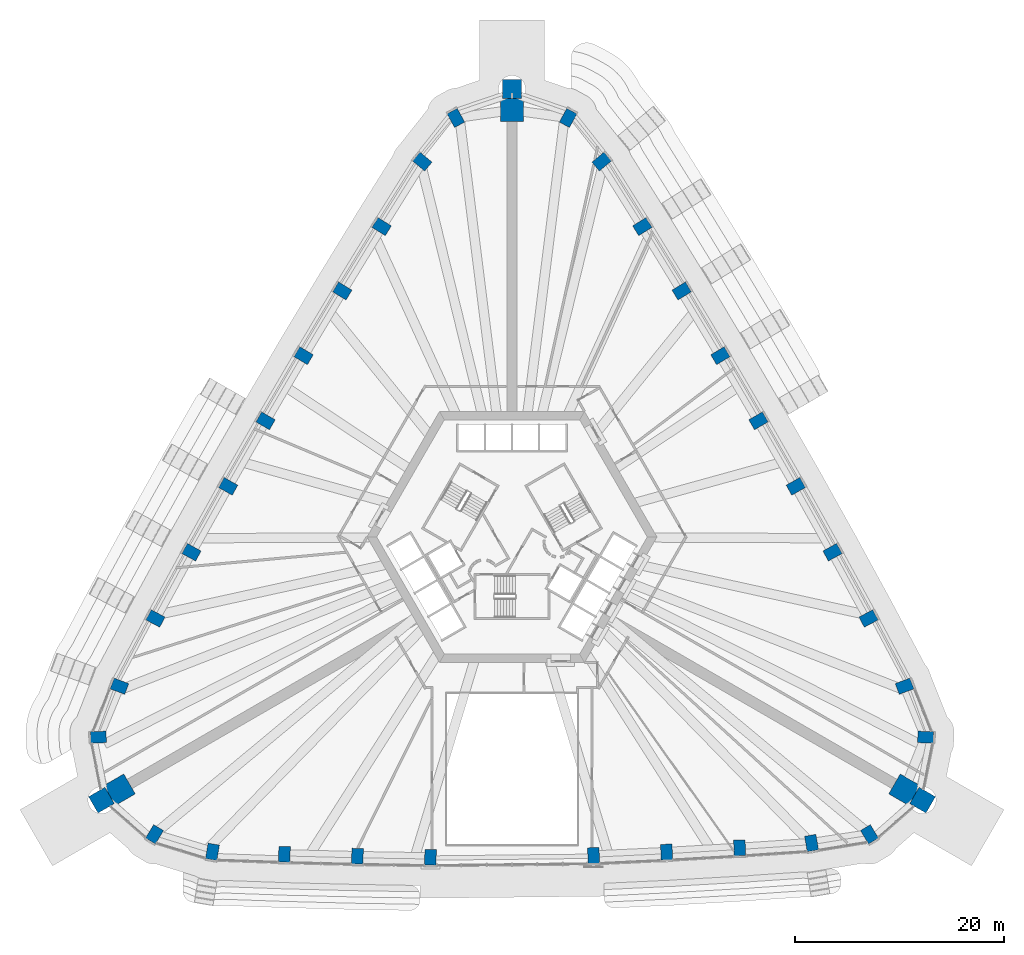
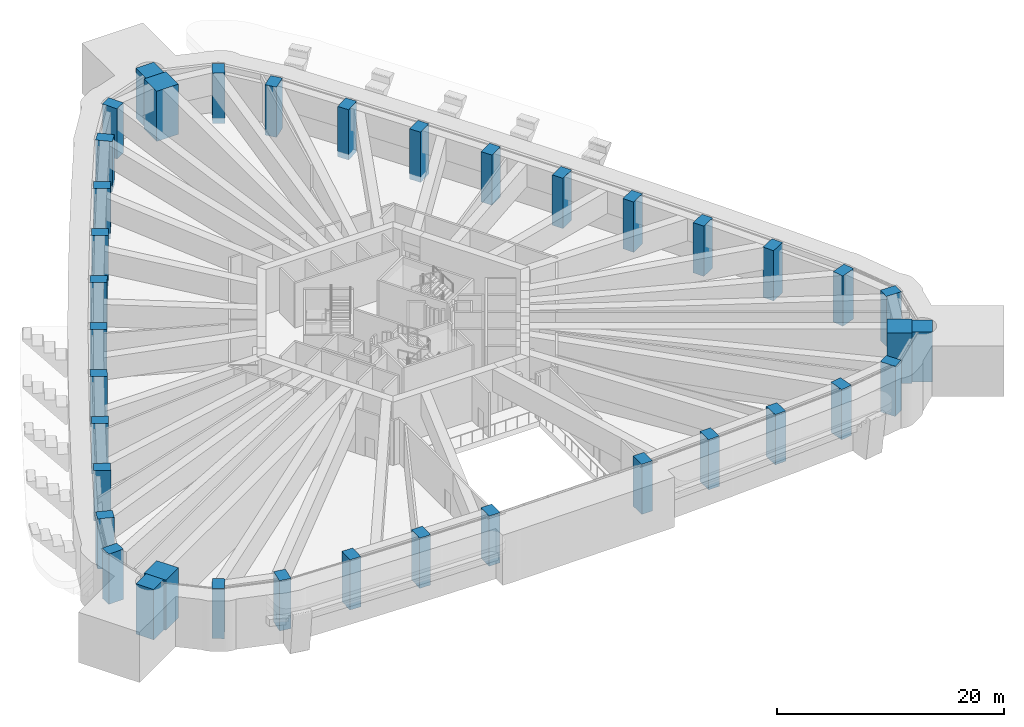
# One storey, part 1 of 22: 38 columns.
"""IFC4 building model written with IfcOpenShell, lengths in metres."""

import ifcopenshell
import ifcopenshell.guid

model = None  # the IFC model being written
_history = None  # IfcOwnerHistory: only IFC2X3 demands one
_inside = {}  # id of a spatial element -> (the spatial element, [elements in it])
_under = {}  # id of a project, library or spatial element -> (it, [spatial elements below it])
_declared = {}  # id of a project -> (the project, [libraries it declares])
_typed = {}  # id of a type object -> (the type object, [elements of that type])
_made_of = {}  # id of a material, layer set ... -> (it, [elements and type objects made of it])


def new_model(schema):
    """Start an empty IFC model of exactly this schema.

    Asked for "IFC4X3", IfcOpenShell would pick the latest addendum, in which some entities
    have other attributes; the version numbers below select the first issue.
    IFC2X3 requires an IfcOwnerHistory on every rooted entity: one is made here for all.
    """
    global model, _history
    if schema == "IFC4X3":
        model = ifcopenshell.file(schema_version=(4, 3, 0, 0))
    else:
        model = ifcopenshell.file(schema=schema)
    _inside.clear()
    _under.clear()
    _declared.clear()
    _typed.clear()
    _made_of.clear()
    _history = None
    if model.schema == "IFC2X3":
        org = make("IfcOrganization", Name="unknown")
        user = make(
            "IfcPersonAndOrganization",
            ThePerson=make("IfcPerson", FamilyName="unknown"),
            TheOrganization=org,
        )
        app = make(
            "IfcApplication",
            ApplicationDeveloper=org,
            Version="unknown",
            ApplicationFullName="unknown",
            ApplicationIdentifier="unknown",
        )
        _history = make(
            "IfcOwnerHistory",
            OwningUser=user,
            OwningApplication=app,
            ChangeAction="ADDED",
            CreationDate=0,
        )
    return model


def make(cls, **values):
    """One entity of the class cls with the attributes given. An attribute that is None is left unset."""
    return model.create_entity(
        cls, **{name: value for name, value in values.items() if value is not None}
    )


def rooted(cls, **values):
    """An entity with a GlobalId (a new one), such as an element, a storey or a relation."""
    return make(cls, GlobalId=ifcopenshell.guid.new(), OwnerHistory=_history, **values)


def si_unit(unit_type, name, prefix=None):
    """IfcSIUnit, for example si_unit("LENGTHUNIT", "METRE", prefix="MILLI")."""
    return make("IfcSIUnit", UnitType=unit_type, Prefix=prefix, Name=name)


def assignment(units):
    """IfcUnitAssignment: the units of a project."""
    return None if units is None else make("IfcUnitAssignment", Units=units)


def point(xyz):
    """IfcCartesianPoint."""
    return None if xyz is None else make("IfcCartesianPoint", Coordinates=xyz)


def direction(xyz):
    """IfcDirection."""
    return None if xyz is None else make("IfcDirection", DirectionRatios=xyz)


def frame(location, z_axis=None, x_axis=None):
    """IfcAxis2Placement3D, a coordinate frame: its origin and axes. An axis left out is left unset."""
    return make(
        "IfcAxis2Placement3D",
        Location=point(location),
        Axis=direction(z_axis),
        RefDirection=direction(x_axis),
    )


def frame_2d(location, x_axis=None):
    """IfcAxis2Placement2D, a coordinate frame in the plane: its origin and x axis."""
    return make(
        "IfcAxis2Placement2D", Location=point(location), RefDirection=direction(x_axis)
    )


def origin():
    """The frame at (0, 0, 0) with its axes left unset."""
    return frame((0.0, 0.0, 0.0))


def origin_2d():
    """The frame at (0, 0) in the plane with its x axis left unset."""
    return frame_2d((0.0, 0.0))


def place(relative_to, where):
    """IfcLocalPlacement: puts the frame where relative to a parent placement (None: the world)."""
    return make(
        "IfcLocalPlacement", PlacementRelTo=relative_to, RelativePlacement=where
    )


def context(
    kind, dimensions, precision=None, world=None, true_north=None, identifier=None
):
    """IfcGeometricRepresentationContext, for example the 3D "Model" context."""
    return make(
        "IfcGeometricRepresentationContext",
        ContextIdentifier=identifier,
        ContextType=kind,
        CoordinateSpaceDimension=dimensions,
        Precision=precision,
        WorldCoordinateSystem=world,
        TrueNorth=true_north,
    )


def subcontext(parent, identifier, kind, view, scale=None):
    """IfcGeometricRepresentationSubContext, for example "Body" below "Model"."""
    return make(
        "IfcGeometricRepresentationSubContext",
        ContextIdentifier=identifier,
        ContextType=kind,
        ParentContext=parent,
        TargetScale=scale,
        TargetView=view,
    )


def project(units=None, contexts=None):
    """IfcProject with its units and contexts."""
    return rooted(
        "IfcProject",
        Name="project",
        RepresentationContexts=contexts,
        UnitsInContext=assignment(units),
    )


def spatial(cls, under=None, at=None, **own):
    """A site, building, storey or space (cls), placed at a placement, below another one or the project."""
    s = rooted(cls, ObjectPlacement=at, **own)
    if under is not None:
        _under.setdefault(under.id(), (under, []))[1].append(s)
    return s


def profile(cls, at=None, kind="AREA", **sizes):
    """A parametric profile (cls). Its sizes go by their IFC names, for example OverallWidth=200.0."""
    return make(cls, ProfileType=kind, Position=at, **sizes)


def rectangle(**sizes):
    """IfcRectangleProfileDef."""
    return profile("IfcRectangleProfileDef", **sizes)


def extrude(swept, where, along, depth):
    """IfcExtrudedAreaSolid: the profile swept, set in the frame where, extruded along a direction by depth."""
    return make(
        "IfcExtrudedAreaSolid",
        SweptArea=swept,
        Position=where,
        ExtrudedDirection=direction(along),
        Depth=depth,
    )


def shape(context_of_items, identifier, shape_type, items):
    """IfcShapeRepresentation: the items that make up one representation, for example the "Body"."""
    return make(
        "IfcShapeRepresentation",
        ContextOfItems=context_of_items,
        RepresentationIdentifier=identifier,
        RepresentationType=shape_type,
        Items=items,
    )


def material(Name=None, Category=None):
    """IfcMaterial."""
    return make("IfcMaterial", Name=Name, Category=Category)


def material_profile(
    of_material, cross_section, Name=None, Category=None, Priority=None
):
    """IfcMaterialProfile: a cross section and its material."""
    return make(
        "IfcMaterialProfile",
        Name=Name,
        Material=of_material,
        Profile=cross_section,
        Priority=Priority,
        Category=Category,
    )


def profile_set(profiles, Name=None, composite=None):
    """IfcMaterialProfileSet."""
    return make(
        "IfcMaterialProfileSet",
        Name=Name,
        MaterialProfiles=profiles,
        CompositeProfile=composite,
    )


def made_of(thing, what):
    """Note that an element or type object is made of a material, layer set ...; save() writes the relation."""
    if what is not None:
        _made_of.setdefault(what.id(), (what, []))[1].append(thing)
    return thing


def type_object(cls, material=None, **own):
    """A type object (cls), such as IfcWallType, which elements share."""
    return made_of(rooted(cls, **own), material)


def element(
    cls,
    number,
    at=None,
    inside=None,
    cuts=None,
    type_object=None,
    material=None,
    context=None,
    identifier="Body",
    shape_type=None,
    held_by="IfcProductDefinitionShape",
    body=None,
    shapes=None,
    **own,
):
    """One element of the class cls, such as IfcWall. Its Tag is "e" and its number.

    at: its placement. inside: the storey or other place that contains it. cuts: it is an
    opening in that element (IfcRelVoidsElement). A single representation is given by context,
    identifier, shape_type and body (its items); several are given by shapes. held_by: the class
    of the entity that holds the representations. save() writes the other relations.
    """
    e = rooted(cls, Tag="e%d" % number, ObjectPlacement=at, **own)
    if body is not None:
        shapes = [shape(context, identifier, shape_type, body)]
    if shapes is not None:
        e.Representation = make(held_by, Representations=shapes)
    if inside is not None:
        _inside.setdefault(inside.id(), (inside, []))[1].append(e)
    if cuts is not None:
        rooted(
            "IfcRelVoidsElement", RelatingBuildingElement=cuts, RelatedOpeningElement=e
        )
    if type_object is not None:
        _typed.setdefault(type_object.id(), (type_object, []))[1].append(e)
    return made_of(e, material)


def aggregate(whole, parts):
    """IfcRelAggregates: a whole, such as a stair, and the parts it consists of."""
    return rooted("IfcRelAggregates", RelatingObject=whole, RelatedObjects=parts)


def save(model, path):
    """Write the relations noted so far, then the file.

    IfcRelAggregates (storeys below a building ...), IfcRelContainedInSpatialStructure (elements
    in a storey), IfcRelDefinesByType, IfcRelAssociatesMaterial and IfcRelDeclares: one each for
    every whole, place, type object, material and project.
    """
    for whole, parts in _under.values():
        aggregate(whole, parts)
    for where, things in _inside.values():
        rooted(
            "IfcRelContainedInSpatialStructure",
            RelatedElements=things,
            RelatingStructure=where,
        )
    for kind, things in _typed.values():
        rooted("IfcRelDefinesByType", RelatedObjects=things, RelatingType=kind)
    for what, things in _made_of.values():
        rooted("IfcRelAssociatesMaterial", RelatedObjects=things, RelatingMaterial=what)
    for by, libraries in _declared.values():
        rooted("IfcRelDeclares", RelatingContext=by, RelatedDefinitions=libraries)
    model.write(path)


model = new_model("IFC4")

# Units and contexts
model_context = context("Model", 3, precision=1e-05, world=origin(), true_north=direction((0.0, 1.0)))
body_context = subcontext(model_context, "Body", "Model", "MODEL_VIEW")
ifc_project = project(units=[si_unit("LENGTHUNIT", "METRE"), si_unit("AREAUNIT", "SQUARE_METRE"), si_unit("VOLUMEUNIT", "CUBIC_METRE"), si_unit("PLANEANGLEUNIT", "RADIAN"), si_unit("MASSUNIT", "GRAM", prefix="KILO")], contexts=[model_context])

# Site, building, storey
site_placement = place(None, origin())
site = spatial("IfcSite", under=ifc_project, at=site_placement, CompositionType="ELEMENT")
building_placement = place(site_placement, origin())
building = spatial("IfcBuilding", under=site, at=building_placement, Name="Entoto Arch Interchange Tower", CompositionType="ELEMENT")
storey_placement = place(building_placement, frame((0.0, 0.0, 132.800048828125)))
storey = spatial("IfcBuildingStorey", under=building, at=storey_placement, Name="L29", CompositionType="ELEMENT", Elevation=132.800048828125)

# Columns
ifc_material_1 = material(Name="Concrete C60/75", Category="concrete")
ifc_material_profile_1 = material_profile(ifc_material_1, rectangle(XDim=1.10009765625, YDim=1.5, at=origin_2d()))
ifc_profile_set_1 = profile_set([ifc_material_profile_1], Name="Concrete C60/75")
column_type_1 = type_object("IfcColumnType", Name="Column RC 1100x1500 C60/75", PredefinedType="COLUMN", material=ifc_profile_set_1)
for number, where, z_axis, x_axis, name in (
    (1, (-28.633056640625, -27.595947265625, -0.60009765625), (0.0, 0.0, 1.0), (-0.985759288085, 0.168162498658, 0.0), "Column S01 L29"),
    (2, (-21.757080078125, -27.833984375, -0.60009765625), (0.0, 0.0, 1.0), (-0.999373652571, 0.035387887008, 0.0), "Column S02 L29"),
    (3, (-14.77294921875, -28.012939453125, -0.60009765625), (0.0, 0.0, 1.0), (-0.999711216939, 0.024030870297, 0.0), "Column S03 L29"),
    (4, (-7.7919921875, -28.125, -0.60009765625), (0.0, 0.0, 1.0), (-0.999958020206, 0.009162850353, 0.0), "Column S04 L29"),
    (5, (7.7919921875, -27.951904296875, -0.60009765625), (0.0, 0.0, 1.0), (0.999958020206, 0.009162850353, 0.0), "Column S05 L29"),
    (6, (14.77294921875, -27.617919921875, -0.60009765625), (0.0, 0.0, 1.0), (0.999711216939, 0.024030870297, 0.0), "Column S06 L29"),
    (7, (21.757080078125, -27.217041015625, -0.60009765625), (0.0, 0.0, 1.0), (0.999373652571, 0.035387887008, 0.0), "Column S07 L29"),
    (8, (28.633056640625, -26.757080078125, -0.60009765625), (0.0, 0.0, 1.0), (0.985759288085, 0.168162498658, 0.0), "Column S08 L29"),
    (9, (34.16796875, -25.922119140625, -0.60009765625), (0.0, 0.0, 1.0), (0.854095929175, 0.520115510024, 0.0), "Column SE1 L29"),
    (10, (39.533935546875, -16.6298828125, -0.60009765625), (0.0, 0.0, 1.0), (0.023385279996, 0.999726526946, 0.0), "Column SE3 L29"),
    (11, (37.52490234375, -11.76611328125, -0.60009765625), (0.0, 0.0, 1.0), (-0.347312116358, 0.937749590152, 0.0), "Column NE01 L29"),
    (12, (34.0810546875, -5.2919921875, -0.60009765625), (0.0, 0.0, 1.0), (-0.469332863911, 0.883021326386, 0.0), "Column NE02 L29"),
    (13, (30.636962890625, 1.0400390625, -0.60009765625), (0.0, 0.0, 1.0), (-0.479611016922, 0.87748120917, 0.0), "Column NE03 L29"),
    (14, (27.1279296875, 7.337890625, -0.60009765625), (0.0, 0.0, 1.0), (-0.489838999048, 0.87181291285, 0.0), "Column NE04 L29"),
    (15, (23.555908203125, 13.60009765625, -0.60009765625), (0.0, 0.0, 1.0), (-0.5, 0.866025403784, 0.0), "Column NE05 L29"),
    (16, (19.919921875, 19.824951171875, -0.60009765625), (0.0, 0.0, 1.0), (-0.510092630351, 0.860119473365, 0.0), "Column NE06 L29"),
    (17, (16.219970703125, 26.011962890625, -0.60009765625), (0.0, 0.0, 1.0), (-0.520115510024, 0.854095929175, 0.0), "Column NE07 L29"),
    (18, (12.45703125, 32.162109375, -0.60009765625), (0.0, 0.0, 1.0), (-0.530067268476, 0.847955594881, 0.0), "Column NE08 L29"),
    (19, (8.572998046875, 38.3798828125, -0.60009765625), (0.0, 0.0, 1.0), (-0.638458909281, 0.769655910885, 0.0), "Column NE09 L29"),
    (20, (5.364990234375, 42.551025390625, -0.60009765625), (0.0, 0.0, 1.0), (-0.87748120917, 0.479611016922, 0.0), "Column N1 L29"),
    (21, (-5.364990234375, 42.551025390625, -0.60009765625), (0.0, 0.0, 1.0), (0.87748120917, 0.479611016922, 0.0), "Column N3 L29"),
    (22, (-8.572998046875, 38.3798828125, -0.60009765625), (0.0, 0.0, 1.0), (0.638458909281, 0.769655910885, 0.0), "Column NW01 L29"),
    (23, (-12.45703125, 32.162109375, -0.60009765625), (0.0, 0.0, 1.0), (0.530067268476, 0.847955594881, 0.0), "Column NW02 L29"),
    (24, (-16.219970703125, 26.011962890625, -0.60009765625), (0.0, 0.0, 1.0), (0.520115510024, 0.854095929175, 0.0), "Column NW03 L29"),
    (25, (-19.919921875, 19.824951171875, -0.60009765625), (0.0, 0.0, 1.0), (0.510092630351, 0.860119473365, 0.0), "Column NW04 L29"),
    (26, (-23.555908203125, 13.60009765625, -0.60009765625), (0.0, 0.0, 1.0), (0.5, 0.866025403784, 0.0), "Column NW05 L29"),
    (27, (-27.1279296875, 7.337890625, -0.60009765625), (0.0, 0.0, 1.0), (0.489838999048, 0.87181291285, 0.0), "Column NW06 L29"),
    (28, (-30.636962890625, 1.0400390625, -0.60009765625), (0.0, 0.0, 1.0), (0.479611016922, 0.87748120917, 0.0), "Column NW07 L29"),
    (29, (-34.0810546875, -5.2919921875, -0.60009765625), (0.0, 0.0, 1.0), (0.469332863911, 0.883021326386, 0.0), "Column NW08 L29"),
    (30, (-37.52490234375, -11.76611328125, -0.60009765625), (0.0, 0.0, 1.0), (0.347312116358, 0.937749590152, 0.0), "Column NW09 L29"),
    (31, (-39.533935546875, -16.6298828125, -0.60009765625), (0.0, 0.0, 1.0), (-0.023385279996, 0.999726526946, 0.0), "Column SW1 L29"),
    (32, (-34.16796875, -25.922119140625, -0.60009765625), (0.0, 0.0, 1.0), (-0.854095929175, 0.520115510024, 0.0), "Column SW3 L29"),
):
    element("IfcColumn", number, at=place(storey_placement, frame(where, z_axis=z_axis, x_axis=x_axis)), inside=storey, type_object=column_type_1, Name=name, PredefinedType="COLUMN", context=body_context, shape_type="SweptSolid", body=[
        extrude(rectangle(XDim=1.10009765625, YDim=1.5, at=origin_2d()), origin(), (0.0, 0.0, 1.0), 5.400146484375),
    ])
ifc_material_2 = material(Name="Precast concrete C40/50", Category="concrete")
ifc_material_profile_2 = material_profile(ifc_material_2, rectangle(XDim=1.800048828125, YDim=1.800048828125, at=origin_2d()))
ifc_profile_set_2 = profile_set([ifc_material_profile_2], Name="Precast concrete C40/50")
column_type_2 = type_object("IfcColumnType", Name="Frame post RC 1800x1800 precast C40/50", PredefinedType="COLUMN", material=ifc_profile_set_2)
for number, where, z_axis, x_axis, name in (
    (33, (39.241943359375, -22.656982421875, -0.60009765625), (0.0, 0.0, 1.0), (-0.866025403784, 0.5, 0.0), "Frame post SE L29"),
    (34, (0.0, 45.31396484375, -0.60009765625), (0.0, 0.0, 1.0), (0.0, 1.0, 0.0), "Frame post N L29"),
    (35, (-39.241943359375, -22.656982421875, -0.60009765625), (0.0, 0.0, 1.0), (0.866025403784, 0.5, 0.0), "Frame post SW L29"),
):
    element("IfcColumn", number, at=place(storey_placement, frame(where, z_axis=z_axis, x_axis=x_axis)), inside=storey, type_object=column_type_2, Name=name, PredefinedType="COLUMN", context=body_context, shape_type="SweptSolid", body=[
        extrude(rectangle(XDim=1.800048828125, YDim=1.800048828125, at=origin_2d()), origin(), (0.0, 0.0, 1.0), 5.400146484375),
    ])
ifc_material_profile_3 = material_profile(ifc_material_1, rectangle(XDim=2.199951171875, YDim=2.199951171875, at=origin_2d()))
ifc_profile_set_3 = profile_set([ifc_material_profile_3], Name="Concrete C60/75")
column_type_3 = type_object("IfcColumnType", Name="Mega column RC 2200x2200 C60/75", PredefinedType="COLUMN", material=ifc_profile_set_3)
for number, where, z_axis, x_axis, name in (
    (36, (37.510009765625, -21.656982421875, -0.60009765625), (0.0, 0.0, 1.0), (-0.866025403784, 0.5, 0.0), "Corner mega column SE2 L29"),
    (37, (0.0, 43.31396484375, -0.60009765625), (0.0, 0.0, 1.0), (0.0, 1.0, 0.0), "Corner mega column N2 L29"),
    (38, (-37.510009765625, -21.656982421875, -0.60009765625), (0.0, 0.0, 1.0), (0.866025403784, 0.5, 0.0), "Corner mega column SW2 L29"),
):
    element("IfcColumn", number, at=place(storey_placement, frame(where, z_axis=z_axis, x_axis=x_axis)), inside=storey, type_object=column_type_3, Name=name, PredefinedType="COLUMN", context=body_context, shape_type="SweptSolid", body=[
        extrude(rectangle(XDim=2.199951171875, YDim=2.199951171875, at=origin_2d()), origin(), (0.0, 0.0, 1.0), 5.400146484375),
    ])

save(model, "model.ifc")
